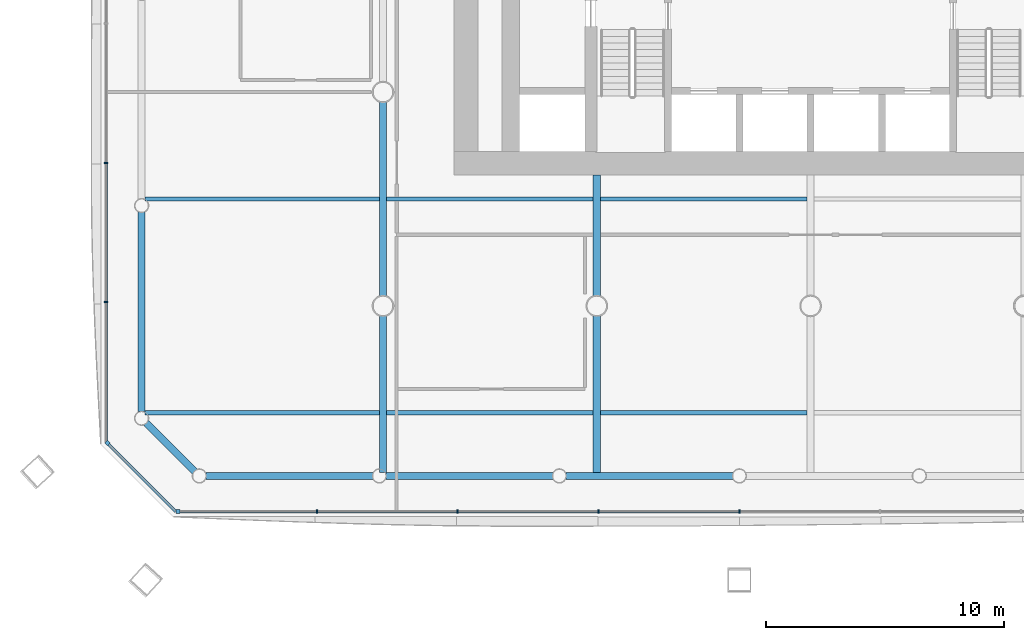
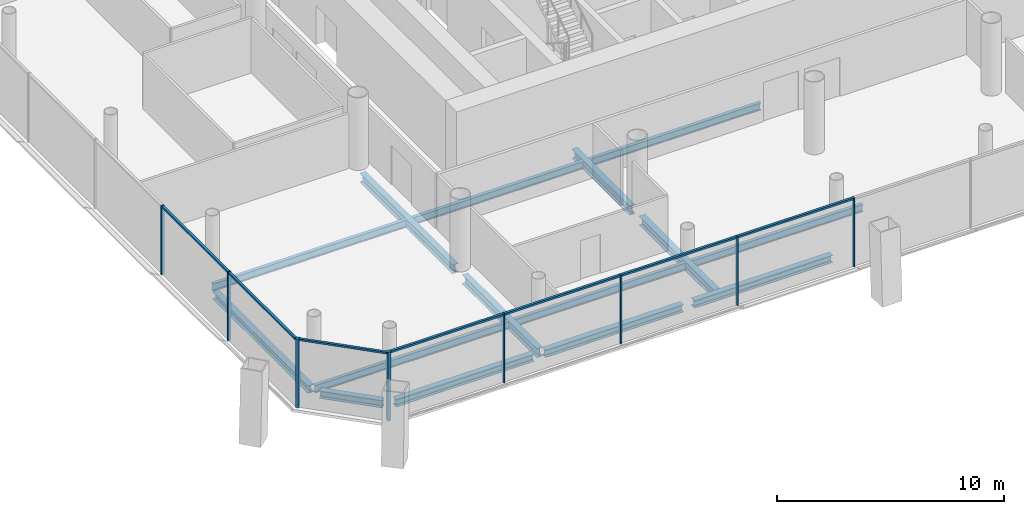
# One storey, part 3 of 21: 15 beams, 15 members, 3 elements without a shape of their own.
"""IFC4 building model written with IfcOpenShell, lengths in metres."""

from ifc_helpers import new_model, si_unit, direction, frame, origin, origin_2d, place, context, subcontext, project, spatial, rectangle, i_section, extrude, material, material_profile, profile_set, type_object, element, aggregate, save


model = new_model("IFC4")

# Units and contexts
model_context = context("Model", 3, precision=1e-05, world=origin(), true_north=direction((0.0, 1.0)))
body_context = subcontext(model_context, "Body", "Model", "MODEL_VIEW")
ifc_project = project(units=[si_unit("LENGTHUNIT", "METRE"), si_unit("AREAUNIT", "SQUARE_METRE"), si_unit("VOLUMEUNIT", "CUBIC_METRE"), si_unit("PLANEANGLEUNIT", "RADIAN"), si_unit("MASSUNIT", "GRAM", prefix="KILO")], contexts=[model_context])

# Site, building, storey
site_placement = place(None, origin())
site = spatial("IfcSite", under=ifc_project, at=site_placement, CompositionType="ELEMENT")
building_placement = place(site_placement, origin())
building = spatial("IfcBuilding", under=site, at=building_placement, Name="Tskaro Facet Tower", CompositionType="ELEMENT")
storey_placement = place(building_placement, frame((0.0, 0.0, 38.10009765625)))
storey = spatial("IfcBuildingStorey", under=building, at=storey_placement, Name="L08", CompositionType="ELEMENT", Elevation=38.10009765625)

# Curtain wall, member
ifc_material_1 = material(Name="Bronze anodised aluminium 6063-T6", Category="aluminium")
curtain_wall_type = type_object("IfcCurtainWallType", Name="Bronze office curtain wall (FW1)", PredefinedType="NOTDEFINED", material=ifc_material_1)
curtain_wall_1_placement = place(storey_placement, origin())
curtain_wall_1 = element("IfcCurtainWall", 1, at=curtain_wall_1_placement, inside=storey, type_object=curtain_wall_type, Name="FW1 south facet L08", PredefinedType="NOTDEFINED")
ifc_material_profile_1 = material_profile(ifc_material_1, rectangle(XDim=0.159912109375, YDim=0.159912109375, at=origin_2d()), Name="Corner post 160x160")
ifc_profile_set_1 = profile_set([ifc_material_profile_1], Name="Bronze anodised aluminium 6063-T6")
member_type_1 = type_object("IfcMemberType", Name="FW1 bronze corner post 160x160", PredefinedType="MULLION", material=ifc_profile_set_1)
member_1_placement = place(storey_placement, frame((-26.633056640625, -26.654052734375, 0.0), z_axis=(0.0, 0.0, 1.0), x_axis=(1.0, 0.0, 0.0)))
member_1 = element("IfcMember", 2, at=member_1_placement, type_object=member_type_1, Name="FW1 south corner post", PredefinedType="MULLION", context=body_context, shape_type="SweptSolid", body=[
    extrude(rectangle(XDim=0.159912109375, YDim=0.159912109375, at=origin_2d()), origin(), (0.0, 0.0, 1.0), 3.699951171875),
])

curtain_wall_2_placement = place(storey_placement, origin())
curtain_wall_2 = element("IfcCurtainWall", 3, at=curtain_wall_2_placement, inside=storey, type_object=curtain_wall_type, Name="FW1 south-west facet L08", PredefinedType="NOTDEFINED")
member_2_placement = place(storey_placement, frame((-29.597412109375, -23.76953125, 0.0), z_axis=(0.0, 0.0, 1.0), x_axis=(0.707106781187, -0.707106781187, 0.0)))
member_2 = element("IfcMember", 4, at=member_2_placement, type_object=member_type_1, Name="FW1 south-west corner post", PredefinedType="MULLION", context=body_context, shape_type="SweptSolid", body=[
    extrude(rectangle(XDim=0.159912109375, YDim=0.159912109375, at=origin_2d()), origin(), (0.0, 0.0, 1.0), 3.699951171875),
])

# Member
ifc_material_profile_2 = material_profile(ifc_material_1, rectangle(XDim=0.06005859375, YDim=0.159912109375, at=origin_2d()), Name="Mullion 60x160")
ifc_profile_set_2 = profile_set([ifc_material_profile_2], Name="Bronze anodised aluminium 6063-T6")
member_type_2 = type_object("IfcMemberType", Name="FW1 bronze mullion 60x160", PredefinedType="MULLION", material=ifc_profile_set_2)
member_3_placement = place(storey_placement, frame((-20.78466796875, -26.654052734375, 0.0), z_axis=(0.0, 0.0, 1.0), x_axis=(1.0, 0.0, 0.0)))
member_3 = element("IfcMember", 5, at=member_3_placement, type_object=member_type_2, Name="FW1 south mullion 1", PredefinedType="MULLION", context=body_context, shape_type="SweptSolid", body=[
    extrude(rectangle(XDim=0.06005859375, YDim=0.159912109375, at=origin_2d()), origin(), (0.0, 0.0, 1.0), 3.699951171875),
])

member_4_placement = place(storey_placement, frame((-14.8564453125, -26.654052734375, 0.0), z_axis=(0.0, 0.0, 1.0), x_axis=(1.0, 0.0, 0.0)))
member_4 = element("IfcMember", 6, at=member_4_placement, type_object=member_type_2, Name="FW1 south mullion 2", PredefinedType="MULLION", context=body_context, shape_type="SweptSolid", body=[
    extrude(rectangle(XDim=0.06005859375, YDim=0.159912109375, at=origin_2d()), origin(), (0.0, 0.0, 1.0), 3.699951171875),
])

member_5_placement = place(storey_placement, frame((-8.92822265625, -26.654052734375, 0.0), z_axis=(0.0, 0.0, 1.0), x_axis=(1.0, 0.0, 0.0)))
member_5 = element("IfcMember", 7, at=member_5_placement, type_object=member_type_2, Name="FW1 south mullion 3", PredefinedType="MULLION", context=body_context, shape_type="SweptSolid", body=[
    extrude(rectangle(XDim=0.06005859375, YDim=0.159912109375, at=origin_2d()), origin(), (0.0, 0.0, 1.0), 3.699951171875),
])

member_6_placement = place(storey_placement, frame((-3.0, -26.654052734375, 0.0), z_axis=(0.0, 0.0, 1.0), x_axis=(1.0, 0.0, 0.0)))
member_6 = element("IfcMember", 8, at=member_6_placement, type_object=member_type_2, Name="FW1 south mullion 4", PredefinedType="MULLION", context=body_context, shape_type="SweptSolid", body=[
    extrude(rectangle(XDim=0.06005859375, YDim=0.159912109375, at=origin_2d()), origin(), (0.0, 0.0, 1.0), 3.699951171875),
])

# Curtain wall, members
curtain_wall_3_placement = place(storey_placement, origin())
curtain_wall_3 = element("IfcCurtainWall", 9, at=curtain_wall_3_placement, inside=storey, type_object=curtain_wall_type, Name="FW1 west facet L08", PredefinedType="NOTDEFINED")
member_7_placement = place(storey_placement, frame((-29.654052734375, -11.97607421875, 0.0), z_axis=(0.0, 0.0, 1.0), x_axis=(0.0, -1.0, 0.0)))
member_7 = element("IfcMember", 10, at=member_7_placement, type_object=member_type_2, Name="FW1 west mullion 6", PredefinedType="MULLION", context=body_context, shape_type="SweptSolid", body=[
    extrude(rectangle(XDim=0.06005859375, YDim=0.159912109375, at=origin_2d()), origin(), (0.0, 0.0, 1.0), 3.699951171875),
])
member_8_placement = place(storey_placement, frame((-29.654052734375, -17.844482421875, 0.0), z_axis=(0.0, 0.0, 1.0), x_axis=(0.0, -1.0, 0.0)))
member_8 = element("IfcMember", 11, at=member_8_placement, type_object=member_type_2, Name="FW1 west mullion 7", PredefinedType="MULLION", context=body_context, shape_type="SweptSolid", body=[
    extrude(rectangle(XDim=0.06005859375, YDim=0.159912109375, at=origin_2d()), origin(), (0.0, 0.0, 1.0), 3.699951171875),
])

# Member
ifc_material_profile_3 = material_profile(ifc_material_1, rectangle(XDim=0.1201171875, YDim=0.10009765625, at=origin_2d()), Name="Transom 120x100")
ifc_profile_set_3 = profile_set([ifc_material_profile_3], Name="Bronze anodised aluminium 6063-T6")
member_type_3 = type_object("IfcMemberType", Name="FW1 bronze transom 120x100", PredefinedType="USERDEFINED", material=ifc_profile_set_3)
member_9_placement = place(storey_placement, frame((-26.552978515625, -26.654052734375, 3.64990234375), z_axis=(1.0, 0.0, 0.0), x_axis=(0.0, 1.0, 0.0)))
member_9 = element("IfcMember", 12, at=member_9_placement, type_object=member_type_3, Name="FW1 south transom 1.1", ObjectType="TRANSOM", PredefinedType="USERDEFINED", context=body_context, shape_type="SweptSolid", body=[
    extrude(rectangle(XDim=0.1201171875, YDim=0.10009765625, at=origin_2d()), origin(), (0.0, 0.0, 1.0), 5.73828125),
])

member_10_placement = place(storey_placement, frame((-20.754638671875, -26.654052734375, 3.64990234375), z_axis=(1.0, 0.0, 0.0), x_axis=(0.0, 1.0, 0.0)))
member_10 = element("IfcMember", 13, at=member_10_placement, type_object=member_type_3, Name="FW1 south transom 2.1", ObjectType="TRANSOM", PredefinedType="USERDEFINED", context=body_context, shape_type="SweptSolid", body=[
    extrude(rectangle(XDim=0.1201171875, YDim=0.10009765625, at=origin_2d()), origin(), (0.0, 0.0, 1.0), 5.8681640625),
])

member_11_placement = place(storey_placement, frame((-14.826416015625, -26.654052734375, 3.64990234375), z_axis=(1.0, 0.0, 0.0), x_axis=(0.0, 1.0, 0.0)))
member_11 = element("IfcMember", 14, at=member_11_placement, type_object=member_type_3, Name="FW1 south transom 3.1", ObjectType="TRANSOM", PredefinedType="USERDEFINED", context=body_context, shape_type="SweptSolid", body=[
    extrude(rectangle(XDim=0.1201171875, YDim=0.10009765625, at=origin_2d()), origin(), (0.0, 0.0, 1.0), 5.8681640625),
])

member_12_placement = place(storey_placement, frame((-8.898193359375, -26.654052734375, 3.64990234375), z_axis=(1.0, 0.0, 0.0), x_axis=(0.0, 1.0, 0.0)))
member_12 = element("IfcMember", 15, at=member_12_placement, type_object=member_type_3, Name="FW1 south transom 4.1", ObjectType="TRANSOM", PredefinedType="USERDEFINED", context=body_context, shape_type="SweptSolid", body=[
    extrude(rectangle(XDim=0.1201171875, YDim=0.10009765625, at=origin_2d()), origin(), (0.0, 0.0, 1.0), 5.8681640625),
])

aggregate(curtain_wall_1, [member_1, member_3, member_4, member_5, member_6, member_9, member_10, member_11, member_12])

member_13_placement = place(storey_placement, frame((-29.654052734375, -12.006103515625, 3.64990234375), z_axis=(0.0, -1.0, 0.0), x_axis=(1.0, 0.0, 0.0)))
member_13 = element("IfcMember", 16, at=member_13_placement, type_object=member_type_3, Name="FW1 west transom 7.1", ObjectType="TRANSOM", PredefinedType="USERDEFINED", context=body_context, shape_type="SweptSolid", body=[
    extrude(rectangle(XDim=0.1201171875, YDim=0.10009765625, at=origin_2d()), origin(), (0.0, 0.0, 1.0), 5.808349609375),
])

member_14_placement = place(storey_placement, frame((-29.654052734375, -17.87451171875, 3.64990234375), z_axis=(0.0, -1.0, 0.0), x_axis=(1.0, 0.0, 0.0)))
member_14 = element("IfcMember", 17, at=member_14_placement, type_object=member_type_3, Name="FW1 west transom 8.1", ObjectType="TRANSOM", PredefinedType="USERDEFINED", context=body_context, shape_type="SweptSolid", body=[
    extrude(rectangle(XDim=0.1201171875, YDim=0.10009765625, at=origin_2d()), origin(), (0.0, 0.0, 1.0), 5.83837890625),
])

aggregate(curtain_wall_3, [member_7, member_8, member_13, member_14])

member_15_placement = place(storey_placement, frame((-29.540771484375, -23.826171875, 3.64990234375), z_axis=(0.707106781187, -0.707106781187, 0.0), x_axis=(0.707106781187, 0.707106781187, 0.0)))
member_15 = element("IfcMember", 18, at=member_15_placement, type_object=member_type_3, Name="FW1 south-west transom 1.1", ObjectType="TRANSOM", PredefinedType="USERDEFINED", context=body_context, shape_type="SweptSolid", body=[
    extrude(rectangle(XDim=0.1201171875, YDim=0.10009765625, at=origin_2d()), origin(), (0.0, 0.0, 1.0), 3.999267578125),
])

aggregate(curtain_wall_2, [member_2, member_15])

# Beams
ifc_material_2 = material(Name="Steel S355J2", Category="steel")
ifc_material_profile_4 = material_profile(ifc_material_2, i_section(OverallWidth=0.300048828125, OverallDepth=0.39990234375, WebThickness=0.013427734375, FlangeThickness=0.02392578125, FilletRadius=0.027099609375, at=origin_2d()), Name="HE 400 B")
ifc_profile_set_4 = profile_set([ifc_material_profile_4], Name="Steel S355J2")
beam_type_1 = type_object("IfcBeamType", Name="HE 400 B ring beam", PredefinedType="BEAM", material=ifc_profile_set_4)
beam_1_placement = place(storey_placement, frame((-25.4541015625, -25.156982421875, -0.340087890625), z_axis=(1.0, 0.0, 0.0), x_axis=(0.0, 1.0, 0.0)))
element("IfcBeam", 19, at=beam_1_placement, inside=storey, type_object=beam_type_1, Name="HE 400 B EB1-1", PredefinedType="BEAM", context=body_context, shape_type="SweptSolid", body=[
    extrude(i_section(OverallWidth=0.300048828125, OverallDepth=0.39990234375, WebThickness=0.013427734375, FlangeThickness=0.02392578125, FilletRadius=0.027099609375, at=origin_2d()), origin(), (0.0, 0.0, 1.0), 7.026123046875),
])
beam_2_placement = place(storey_placement, frame((-17.8779296875, -25.156982421875, -0.340087890625), z_axis=(1.0, 0.0, 0.0), x_axis=(0.0, 1.0, 0.0)))
element("IfcBeam", 20, at=beam_2_placement, inside=storey, type_object=beam_type_1, Name="HE 400 B EB2-1", PredefinedType="BEAM", context=body_context, shape_type="SweptSolid", body=[
    extrude(i_section(OverallWidth=0.300048828125, OverallDepth=0.39990234375, WebThickness=0.013427734375, FlangeThickness=0.02392578125, FilletRadius=0.027099609375, at=origin_2d()), origin(), (0.0, 0.0, 1.0), 7.02685546875),
])
beam_3_placement = place(storey_placement, frame((-10.301025390625, -25.156982421875, -0.340087890625), z_axis=(1.0, 0.0, 0.0), x_axis=(0.0, 1.0, 0.0)))
element("IfcBeam", 21, at=beam_3_placement, inside=storey, type_object=beam_type_1, Name="HE 400 B EB3-1", PredefinedType="BEAM", context=body_context, shape_type="SweptSolid", body=[
    extrude(i_section(OverallWidth=0.300048828125, OverallDepth=0.39990234375, WebThickness=0.013427734375, FlangeThickness=0.02392578125, FilletRadius=0.027099609375, at=origin_2d()), origin(), (0.0, 0.0, 1.0), 7.026123046875),
])
beam_4_placement = place(storey_placement, frame((-28.156982421875, -14.055908203125, -0.340087890625), z_axis=(0.0, -1.0, 0.0), x_axis=(1.0, 0.0, 0.0)))
element("IfcBeam", 22, at=beam_4_placement, inside=storey, type_object=beam_type_1, Name="HE 400 B EB24-1", PredefinedType="BEAM", context=body_context, shape_type="SweptSolid", body=[
    extrude(i_section(OverallWidth=0.300048828125, OverallDepth=0.39990234375, WebThickness=0.013427734375, FlangeThickness=0.02392578125, FilletRadius=0.027099609375, at=origin_2d()), origin(), (0.0, 0.0, 1.0), 8.398193359375),
])
beam_5_placement = place(storey_placement, frame((-27.962646484375, -22.92333984375, -0.340087890625), z_axis=(0.707106781187, -0.707106781187, 0.0), x_axis=(0.707106781187, 0.707106781187, 0.0)))
element("IfcBeam", 23, at=beam_5_placement, inside=storey, type_object=beam_type_1, Name="HE 400 B EB25-1", PredefinedType="BEAM", context=body_context, shape_type="SweptSolid", body=[
    extrude(i_section(OverallWidth=0.300048828125, OverallDepth=0.39990234375, WebThickness=0.013427734375, FlangeThickness=0.02392578125, FilletRadius=0.027099609375, at=origin_2d()), origin(), (0.0, 0.0, 1.0), 2.884033203125),
])
ifc_material_profile_5 = material_profile(ifc_material_2, i_section(OverallWidth=0.300048828125, OverallDepth=0.489990234375, WebThickness=0.011962890625, FlangeThickness=0.02294921875, FilletRadius=0.027099609375, at=origin_2d()), Name="HE 500 A")
ifc_profile_set_5 = profile_set([ifc_material_profile_5], Name="Steel S355J2")
beam_type_2 = type_object("IfcBeamType", Name="HE 500 A girder", PredefinedType="BEAM", material=ifc_profile_set_5)
beam_6_placement = place(storey_placement, frame((-18.0, -25.007080078125, -0.385009765625), z_axis=(0.0, 1.0, 0.0), x_axis=(-1.0, 0.0, 0.0)))
element("IfcBeam", 24, at=beam_6_placement, inside=storey, type_object=beam_type_2, Name="HE 500 A GB2-1-1", PredefinedType="BEAM", context=body_context, shape_type="SweptSolid", body=[
    extrude(i_section(OverallWidth=0.300048828125, OverallDepth=0.489990234375, WebThickness=0.011962890625, FlangeThickness=0.02294921875, FilletRadius=0.027099609375, at=origin_2d()), origin(), (0.0, 0.0, 1.0), 6.579833984375),
])
beam_7_placement = place(storey_placement, frame((-18.0, -17.57275390625, -0.385009765625), z_axis=(0.0, 1.0, 0.0), x_axis=(-1.0, 0.0, 0.0)))
element("IfcBeam", 25, at=beam_7_placement, inside=storey, type_object=beam_type_2, Name="HE 500 A GB2-2-1", PredefinedType="BEAM", context=body_context, shape_type="SweptSolid", body=[
    extrude(i_section(OverallWidth=0.300048828125, OverallDepth=0.489990234375, WebThickness=0.011962890625, FlangeThickness=0.02294921875, FilletRadius=0.027099609375, at=origin_2d()), origin(), (0.0, 0.0, 1.0), 8.1455078125),
])
beam_8_placement = place(storey_placement, frame((-9.0, -25.007080078125, -0.385009765625), z_axis=(0.0, 1.0, 0.0), x_axis=(-1.0, 0.0, 0.0)))
element("IfcBeam", 26, at=beam_8_placement, inside=storey, type_object=beam_type_2, Name="HE 500 A GB3-1-1", PredefinedType="BEAM", context=body_context, shape_type="SweptSolid", body=[
    extrude(i_section(OverallWidth=0.300048828125, OverallDepth=0.489990234375, WebThickness=0.011962890625, FlangeThickness=0.02294921875, FilletRadius=0.027099609375, at=origin_2d()), origin(), (0.0, 0.0, 1.0), 6.579833984375),
])
beam_9_placement = place(storey_placement, frame((-9.0, -17.57275390625, -0.385009765625), z_axis=(0.0, 1.0, 0.0), x_axis=(-1.0, 0.0, 0.0)))
element("IfcBeam", 27, at=beam_9_placement, inside=storey, type_object=beam_type_2, Name="HE 500 A GB3-2-1", PredefinedType="BEAM", context=body_context, shape_type="SweptSolid", body=[
    extrude(i_section(OverallWidth=0.300048828125, OverallDepth=0.489990234375, WebThickness=0.011962890625, FlangeThickness=0.02294921875, FilletRadius=0.027099609375, at=origin_2d()), origin(), (0.0, 0.0, 1.0), 5.07275390625),
])
ifc_material_profile_6 = material_profile(ifc_material_2, i_section(OverallWidth=0.179931640625, OverallDepth=0.39990234375, WebThickness=0.008544921875, FlangeThickness=0.013427734375, FilletRadius=0.02099609375, at=origin_2d()), Name="IPE 400")
ifc_profile_set_6 = profile_set([ifc_material_profile_6], Name="Steel S355J2")
beam_type_3 = type_object("IfcBeamType", Name="IPE 400 secondary beam", PredefinedType="BEAM", material=ifc_profile_set_6)
beam_10_placement = place(storey_placement, frame((-28.007080078125, -22.5, -0.340087890625), z_axis=(1.0, 0.0, 0.0), x_axis=(0.0, 1.0, 0.0)))
element("IfcBeam", 28, at=beam_10_placement, inside=storey, type_object=beam_type_3, Name="IPE 400 SB1a-1-1", PredefinedType="BEAM", context=body_context, shape_type="SweptSolid", body=[
    extrude(i_section(OverallWidth=0.179931640625, OverallDepth=0.39990234375, WebThickness=0.008544921875, FlangeThickness=0.013427734375, FilletRadius=0.02099609375, at=origin_2d()), origin(), (0.0, 0.0, 1.0), 9.857177734375),
])
for number, where, z_axis, x_axis, name in (
    (29, (-17.85009765625, -22.5, -0.340087890625), (1.0, 0.0, 0.0), (0.0, 1.0, 0.0), "IPE 400 SB1a-2-1"),
    (30, (-8.85009765625, -22.5, -0.340087890625), (1.0, 0.0, 0.0), (0.0, 1.0, 0.0), "IPE 400 SB1a-3-1"),
):
    element("IfcBeam", number, at=place(storey_placement, frame(where, z_axis=z_axis, x_axis=x_axis)), inside=storey, type_object=beam_type_3, Name=name, PredefinedType="BEAM", context=body_context, shape_type="SweptSolid", body=[
        extrude(i_section(OverallWidth=0.179931640625, OverallDepth=0.39990234375, WebThickness=0.008544921875, FlangeThickness=0.013427734375, FilletRadius=0.02099609375, at=origin_2d()), origin(), (0.0, 0.0, 1.0), 8.7001953125),
    ])
beam_11_placement = place(storey_placement, frame((-28.007080078125, -13.5, -0.340087890625), z_axis=(1.0, 0.0, 0.0), x_axis=(0.0, 1.0, 0.0)))
element("IfcBeam", 31, at=beam_11_placement, inside=storey, type_object=beam_type_3, Name="IPE 400 SB2a-1-1", PredefinedType="BEAM", context=body_context, shape_type="SweptSolid", body=[
    extrude(i_section(OverallWidth=0.179931640625, OverallDepth=0.39990234375, WebThickness=0.008544921875, FlangeThickness=0.013427734375, FilletRadius=0.02099609375, at=origin_2d()), origin(), (0.0, 0.0, 1.0), 9.857177734375),
])
for number, where, z_axis, x_axis, name in (
    (32, (-17.85009765625, -13.5, -0.340087890625), (1.0, 0.0, 0.0), (0.0, 1.0, 0.0), "IPE 400 SB2a-2-1"),
    (33, (-8.85009765625, -13.5, -0.340087890625), (1.0, 0.0, 0.0), (0.0, 1.0, 0.0), "IPE 400 SB2a-3-1"),
):
    element("IfcBeam", number, at=place(storey_placement, frame(where, z_axis=z_axis, x_axis=x_axis)), inside=storey, type_object=beam_type_3, Name=name, PredefinedType="BEAM", context=body_context, shape_type="SweptSolid", body=[
        extrude(i_section(OverallWidth=0.179931640625, OverallDepth=0.39990234375, WebThickness=0.008544921875, FlangeThickness=0.013427734375, FilletRadius=0.02099609375, at=origin_2d()), origin(), (0.0, 0.0, 1.0), 8.7001953125),
    ])

save(model, "model.ifc")
